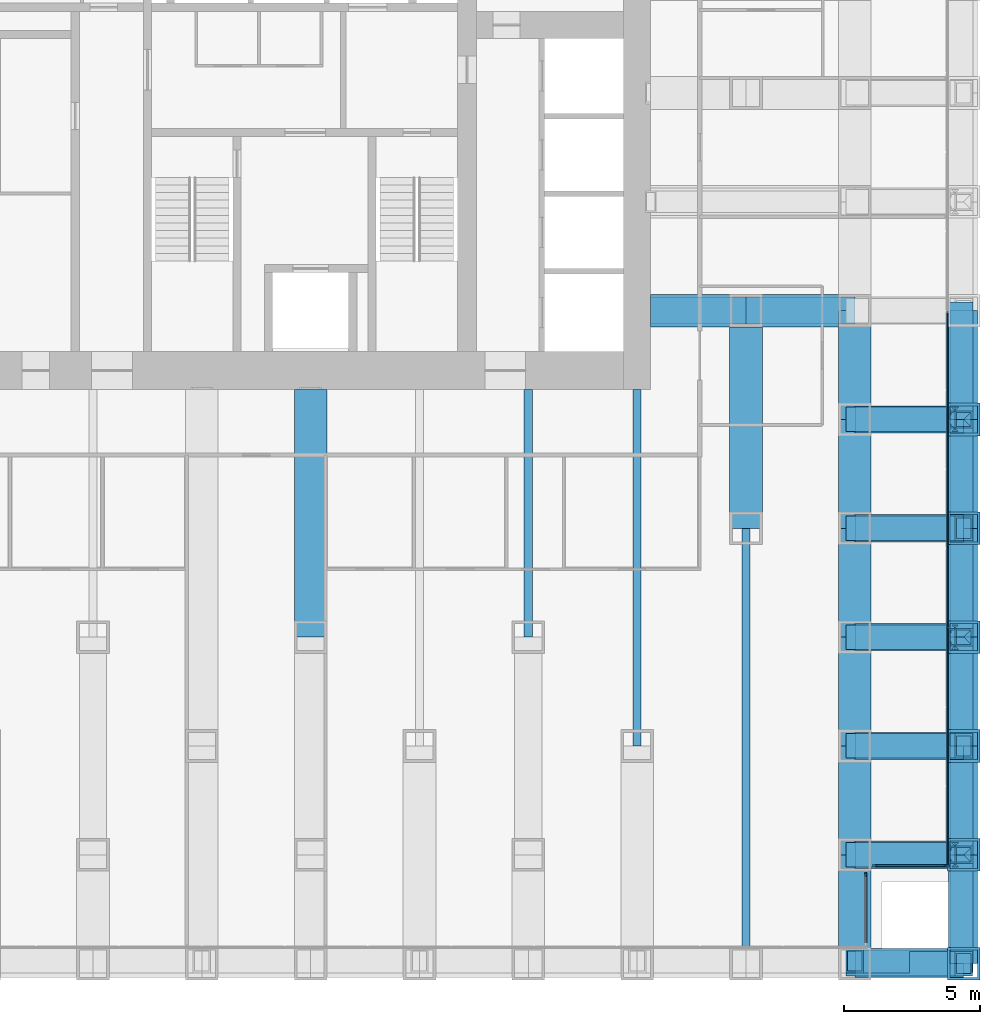
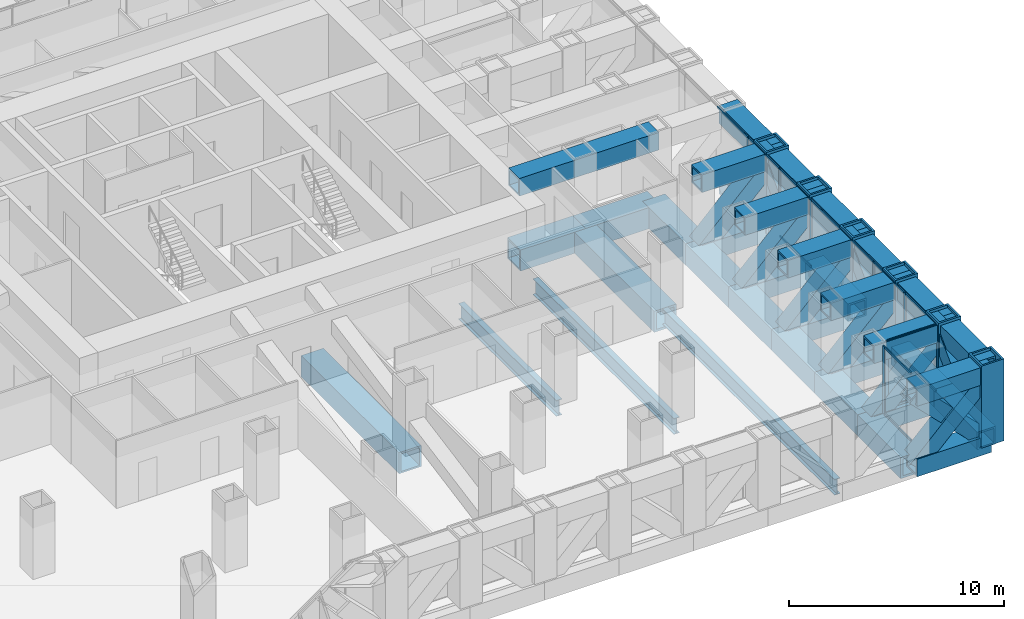
# One storey, part 6 of 18: 47 members, 38 beams, 3 elements without a shape of their own.
"""IFC4 building model written with IfcOpenShell, lengths in metres."""

from ifc_helpers import new_model, si_unit, direction, frame, origin, origin_2d, place, context, subcontext, project, spatial, rectangle, hollow_rectangle, i_section, extrude, material, material_profile, profile_set, type_object, element, aggregate, save


model = new_model("IFC4")

# Units and contexts
model_context = context("Model", 3, precision=1e-05, world=origin(), true_north=direction((0.0, 1.0)))
body_context = subcontext(model_context, "Body", "Model", "MODEL_VIEW")
ifc_project = project(units=[si_unit("LENGTHUNIT", "METRE"), si_unit("AREAUNIT", "SQUARE_METRE"), si_unit("VOLUMEUNIT", "CUBIC_METRE"), si_unit("PLANEANGLEUNIT", "RADIAN"), si_unit("MASSUNIT", "GRAM", prefix="KILO")], contexts=[model_context])

# Site, building, storey
site_placement = place(None, origin())
site = spatial("IfcSite", under=ifc_project, at=site_placement, CompositionType="ELEMENT")
building_placement = place(site_placement, origin())
building = spatial("IfcBuilding", under=site, at=building_placement, Name="Rimbunsela Tower", CompositionType="ELEMENT")
storey_placement = place(building_placement, frame((0.0, 0.0, 11.0)))
storey = spatial("IfcBuildingStorey", under=building, at=storey_placement, Name="L02", CompositionType="ELEMENT", Elevation=11.0)

# Beams
ifc_material_1 = material(Name="Steel BJ 55 (fy 410 MPa)", Category="steel")
ifc_material_profile_1 = material_profile(ifc_material_1, hollow_rectangle(XDim=1.199951171875, YDim=1.199951171875, WallThickness=0.10009765625, at=origin_2d()), Name="BOX 1200x1200x100")
ifc_profile_set_1 = profile_set([ifc_material_profile_1], Name="Steel BJ 55 (fy 410 MPa)")
beam_type_1 = type_object("IfcBeamType", Name="Beam BOX 1200x1200x100", PredefinedType="BEAM", material=ifc_profile_set_1)
beam_1_placement = place(storey_placement, frame((30.0, 8.0, -0.75), z_axis=(0.0, 1.0, 0.0), x_axis=(-1.0, 0.0, 0.0)))
element("IfcBeam", 1, at=beam_1_placement, inside=storey, type_object=beam_type_1, Name="Beam B5 L02", PredefinedType="BEAM", context=body_context, shape_type="SweptSolid", body=[
    extrude(hollow_rectangle(XDim=1.199951171875, YDim=1.199951171875, WallThickness=0.10009765625, at=origin_2d()), origin(), (0.0, 0.0, 1.0), 9.10009765625),
])
beam_2_placement = place(storey_placement, frame((42.5, 20.0, -0.75), z_axis=(1.0, 0.0, 0.0), x_axis=(0.0, 1.0, 0.0)))
element("IfcBeam", 2, at=beam_2_placement, inside=storey, type_object=beam_type_1, Name="Beam B5 L02", PredefinedType="BEAM", context=body_context, shape_type="SweptSolid", body=[
    extrude(hollow_rectangle(XDim=1.199951171875, YDim=1.199951171875, WallThickness=0.10009765625, at=origin_2d()), origin(), (0.0, 0.0, 1.0), 3.5),
])
ifc_material_2 = material(Name="Steel BJ 55 (fy 410 MPa)", Category="steel")
ifc_material_profile_2 = material_profile(ifc_material_2, hollow_rectangle(XDim=1.199951171875, YDim=1.199951171875, WallThickness=0.125, at=origin_2d()), Name="BOX 1200x1200x125")
ifc_profile_set_2 = profile_set([ifc_material_profile_2], Name="Steel BJ 55 (fy 410 MPa)")
beam_type_2 = type_object("IfcBeamType", Name="Beam BOX 1200x1200x125", PredefinedType="BEAM", material=ifc_profile_set_2)
beam_3_placement = place(storey_placement, frame((46.0, 12.0, -0.75), z_axis=(0.0, 1.0, 0.0), x_axis=(-1.0, 0.0, 0.0)))
element("IfcBeam", 3, at=beam_3_placement, inside=storey, type_object=beam_type_2, Name="Beam B4 L02", PredefinedType="BEAM", context=body_context, shape_type="SweptSolid", body=[
    extrude(hollow_rectangle(XDim=1.199951171875, YDim=1.199951171875, WallThickness=0.125, at=origin_2d()), origin(), (0.0, 0.0, 1.0), 8.0),
])
for number, where, z_axis, x_axis, name in (
    (4, (46.0, 20.0, -0.75), (1.0, 0.0, 0.0), (0.0, 1.0, 0.0), "Beam B4 L02"),
    (5, (50.0, -4.0, -0.75), (0.0, 1.0, 0.0), (-1.0, 0.0, 0.0), "Beam B4 L02"),
    (6, (50.0, 0.0, -0.75), (0.0, 1.0, 0.0), (-1.0, 0.0, 0.0), "Beam B4 L02"),
    (7, (50.0, 4.0, -0.75), (0.0, 1.0, 0.0), (-1.0, 0.0, 0.0), "Beam B4 L02"),
    (8, (50.0, 8.0, -0.75), (0.0, 1.0, 0.0), (-1.0, 0.0, 0.0), "Beam B4 L02"),
    (9, (50.0, 12.0, -0.75), (0.0, 1.0, 0.0), (-1.0, 0.0, 0.0), "Beam B4 L02"),
    (10, (50.0, 16.0, -0.75), (0.0, 1.0, 0.0), (-1.0, 0.0, 0.0), "Beam B4 L02"),
):
    element("IfcBeam", number, at=place(storey_placement, frame(where, z_axis=z_axis, x_axis=x_axis)), inside=storey, type_object=beam_type_2, Name=name, PredefinedType="BEAM", context=body_context, shape_type="SweptSolid", body=[
        extrude(hollow_rectangle(XDim=1.199951171875, YDim=1.199951171875, WallThickness=0.125, at=origin_2d()), origin(), (0.0, 0.0, 1.0), 4.0),
    ])
ifc_material_3 = material(Name="Steel BJ 55 (fy 410 MPa)", Category="steel")
ifc_material_profile_3 = material_profile(ifc_material_3, i_section(OverallWidth=0.300048828125, OverallDepth=0.89990234375, WebThickness=0.01611328125, FlangeThickness=0.028076171875, FilletRadius=0.028076171875, at=origin_2d()), Name="H 900x300x16x28")
ifc_profile_set_3 = profile_set([ifc_material_profile_3], Name="Steel BJ 55 (fy 410 MPa)")
beam_type_3 = type_object("IfcBeamType", Name="Beam H 900x300x16x28", PredefinedType="BEAM", material=ifc_profile_set_3)
beam_4_placement = place(storey_placement, frame((38.0, 8.0, -0.60009765625), z_axis=(0.0, 1.0, 0.0), x_axis=(-1.0, 0.0, 0.0)))
element("IfcBeam", 11, at=beam_4_placement, inside=storey, type_object=beam_type_3, Name="Beam B2 L02", PredefinedType="BEAM", context=body_context, shape_type="SweptSolid", body=[
    extrude(i_section(OverallWidth=0.300048828125, OverallDepth=0.89990234375, WebThickness=0.01611328125, FlangeThickness=0.028076171875, FilletRadius=0.028076171875, at=origin_2d()), origin(), (0.0, 0.0, 1.0), 9.10009765625),
])
beam_5_placement = place(storey_placement, frame((42.0, 4.0, -0.60009765625), z_axis=(0.0, 1.0, 0.0), x_axis=(-1.0, 0.0, 0.0)))
element("IfcBeam", 12, at=beam_5_placement, inside=storey, type_object=beam_type_3, Name="Beam B2 L02", PredefinedType="BEAM", context=body_context, shape_type="SweptSolid", body=[
    extrude(i_section(OverallWidth=0.300048828125, OverallDepth=0.89990234375, WebThickness=0.01611328125, FlangeThickness=0.028076171875, FilletRadius=0.028076171875, at=origin_2d()), origin(), (0.0, 0.0, 1.0), 13.10009765625),
])
beam_6_placement = place(storey_placement, frame((46.0, -4.0, -0.60009765625), z_axis=(0.0, 1.0, 0.0), x_axis=(-1.0, 0.0, 0.0)))
element("IfcBeam", 13, at=beam_6_placement, inside=storey, type_object=beam_type_3, Name="Beam B2 L02", PredefinedType="BEAM", context=body_context, shape_type="SweptSolid", body=[
    extrude(i_section(OverallWidth=0.300048828125, OverallDepth=0.89990234375, WebThickness=0.01611328125, FlangeThickness=0.028076171875, FilletRadius=0.028076171875, at=origin_2d()), origin(), (0.0, 0.0, 1.0), 16.0),
])

# Curtain wall, member
ifc_material_4 = material(Name="Aluminium curtain wall", Category="aluminium")
curtain_wall_type_1 = type_object("IfcCurtainWallType", Name="Corner glazing", PredefinedType="USERDEFINED", material=ifc_material_4)
curtain_wall_1_placement = place(storey_placement, origin())
curtain_wall_1 = element("IfcCurtainWall", 14, at=curtain_wall_1_placement, inside=storey, type_object=curtain_wall_type_1, Name="Corner glazing L02", ObjectType="CORNER GLAZING", PredefinedType="USERDEFINED")
ifc_material_5 = material(Name="Aluminium mullion", Category="aluminium")
ifc_material_profile_4 = material_profile(ifc_material_5, rectangle(XDim=0.06005859375, YDim=0.159912109375, at=origin_2d()), Name="Mullion 60x160")
ifc_profile_set_4 = profile_set([ifc_material_profile_4], Name="Aluminium mullion")
member_type_1 = type_object("IfcMemberType", Name="Curtain wall mullion 60x160", PredefinedType="MULLION", material=ifc_profile_set_4)
member_1_placement = place(storey_placement, frame((50.39990234375, -0.72998046875, 0.0), z_axis=(0.0, 0.0, 1.0), x_axis=(-1.0, 0.0, 0.0)))
member_1 = element("IfcMember", 15, at=member_1_placement, type_object=member_type_1, Name="CW5 mullion 2", PredefinedType="MULLION", context=body_context, shape_type="SweptSolid", body=[
    extrude(rectangle(XDim=0.06005859375, YDim=0.159912109375, at=origin_2d()), origin(), (0.0, 0.0, 1.0), 3.85009765625),
])

# Curtain wall, members
ifc_material_6 = material(Name="Aluminium curtain wall", Category="aluminium")
curtain_wall_type_2 = type_object("IfcCurtainWallType", Name="Spandrel wall", PredefinedType="USERDEFINED", material=ifc_material_6)
curtain_wall_2_placement = place(storey_placement, origin())
curtain_wall_2 = element("IfcCurtainWall", 16, at=curtain_wall_2_placement, inside=storey, type_object=curtain_wall_type_2, Name="Spandrel wall L02", ObjectType="SPANDREL WALL", PredefinedType="USERDEFINED")
member_2_placement = place(storey_placement, frame((50.72998046875, -0.39990234375, 0.0), z_axis=(0.0, 0.0, 1.0), x_axis=(0.0, 1.0, 0.0)))
member_2 = element("IfcMember", 17, at=member_2_placement, type_object=member_type_1, Name="CW7 mullion 1", PredefinedType="MULLION", context=body_context, shape_type="SweptSolid", body=[
    extrude(rectangle(XDim=0.06005859375, YDim=0.159912109375, at=origin_2d()), origin(), (0.0, 0.0, 1.0), 3.85009765625),
])
member_3_placement = place(storey_placement, frame((53.3701171875, -0.39990234375, 0.0), z_axis=(0.0, 0.0, 1.0), x_axis=(0.0, 1.0, 0.0)))
member_3 = element("IfcMember", 18, at=member_3_placement, type_object=member_type_1, Name="CW7 mullion 2", PredefinedType="MULLION", context=body_context, shape_type="SweptSolid", body=[
    extrude(rectangle(XDim=0.06005859375, YDim=0.159912109375, at=origin_2d()), origin(), (0.0, 0.0, 1.0), 3.85009765625),
])

ifc_material_7 = material(Name="Aluminium curtain wall", Category="aluminium")
curtain_wall_type_3 = type_object("IfcCurtainWallType", Name="Exoskeleton storey infill", PredefinedType="USERDEFINED", material=ifc_material_7)
curtain_wall_3_placement = place(storey_placement, origin())
curtain_wall_3 = element("IfcCurtainWall", 19, at=curtain_wall_3_placement, inside=storey, type_object=curtain_wall_type_3, Name="Exoskeleton storey infill L02", ObjectType="EXOSKELETON STOREY INFILL", PredefinedType="USERDEFINED")
member_4_placement = place(storey_placement, frame((53.39990234375, -0.3701171875, 0.0), z_axis=(0.0, 0.0, 1.0), x_axis=(-1.0, 0.0, 0.0)))
member_4 = element("IfcMember", 20, at=member_4_placement, type_object=member_type_1, Name="CW2 mullion 1", PredefinedType="MULLION", context=body_context, shape_type="SweptSolid", body=[
    extrude(rectangle(XDim=0.06005859375, YDim=0.159912109375, at=origin_2d()), origin(), (0.0, 0.0, 1.0), 3.85009765625),
])
member_5_placement = place(storey_placement, frame((53.39990234375, 2.514404296875, 0.0), z_axis=(0.0, 0.0, 1.0), x_axis=(-1.0, 0.0, 0.0)))
member_5 = element("IfcMember", 21, at=member_5_placement, type_object=member_type_1, Name="CW2 mullion 2", PredefinedType="MULLION", context=body_context, shape_type="SweptSolid", body=[
    extrude(rectangle(XDim=0.06005859375, YDim=0.159912109375, at=origin_2d()), origin(), (0.0, 0.0, 1.0), 3.85009765625),
])
member_6_placement = place(storey_placement, frame((53.39990234375, 5.428466796875, 0.0), z_axis=(0.0, 0.0, 1.0), x_axis=(-1.0, 0.0, 0.0)))
member_6 = element("IfcMember", 22, at=member_6_placement, type_object=member_type_1, Name="CW2 mullion 3", PredefinedType="MULLION", context=body_context, shape_type="SweptSolid", body=[
    extrude(rectangle(XDim=0.06005859375, YDim=0.159912109375, at=origin_2d()), origin(), (0.0, 0.0, 1.0), 3.85009765625),
])
member_7_placement = place(storey_placement, frame((53.39990234375, 8.3427734375, 0.0), z_axis=(0.0, 0.0, 1.0), x_axis=(-1.0, 0.0, 0.0)))
member_7 = element("IfcMember", 23, at=member_7_placement, type_object=member_type_1, Name="CW2 mullion 4", PredefinedType="MULLION", context=body_context, shape_type="SweptSolid", body=[
    extrude(rectangle(XDim=0.06005859375, YDim=0.159912109375, at=origin_2d()), origin(), (0.0, 0.0, 1.0), 3.85009765625),
])
member_8_placement = place(storey_placement, frame((53.39990234375, 11.257080078125, 0.0), z_axis=(0.0, 0.0, 1.0), x_axis=(-1.0, 0.0, 0.0)))
member_8 = element("IfcMember", 24, at=member_8_placement, type_object=member_type_1, Name="CW2 mullion 5", PredefinedType="MULLION", context=body_context, shape_type="SweptSolid", body=[
    extrude(rectangle(XDim=0.06005859375, YDim=0.159912109375, at=origin_2d()), origin(), (0.0, 0.0, 1.0), 3.85009765625),
])
member_9_placement = place(storey_placement, frame((53.39990234375, 14.17138671875, 0.0), z_axis=(0.0, 0.0, 1.0), x_axis=(-1.0, 0.0, 0.0)))
member_9 = element("IfcMember", 25, at=member_9_placement, type_object=member_type_1, Name="CW2 mullion 6", PredefinedType="MULLION", context=body_context, shape_type="SweptSolid", body=[
    extrude(rectangle(XDim=0.06005859375, YDim=0.159912109375, at=origin_2d()), origin(), (0.0, 0.0, 1.0), 3.85009765625),
])
member_10_placement = place(storey_placement, frame((53.39990234375, 17.085693359375, 0.0), z_axis=(0.0, 0.0, 1.0), x_axis=(-1.0, 0.0, 0.0)))
member_10 = element("IfcMember", 26, at=member_10_placement, type_object=member_type_1, Name="CW2 mullion 7", PredefinedType="MULLION", context=body_context, shape_type="SweptSolid", body=[
    extrude(rectangle(XDim=0.06005859375, YDim=0.159912109375, at=origin_2d()), origin(), (0.0, 0.0, 1.0), 3.85009765625),
])

# Member
ifc_material_8 = material(Name="Aluminium transom", Category="aluminium")
ifc_material_profile_5 = material_profile(ifc_material_8, rectangle(XDim=0.06005859375, YDim=0.1201171875, at=origin_2d()), Name="Transom 60x120")
ifc_profile_set_5 = profile_set([ifc_material_profile_5], Name="Aluminium transom")
member_type_2 = type_object("IfcMemberType", Name="Curtain wall transom 60x120", PredefinedType="USERDEFINED", material=ifc_profile_set_5)
member_11_placement = place(storey_placement, frame((50.39990234375, -3.239990234375, 0.030029296875), z_axis=(0.0, 1.0, 0.0), x_axis=(-1.0, 0.0, 0.0)))
member_11 = element("IfcMember", 27, at=member_11_placement, type_object=member_type_2, Name="CW5 transom 1.1", ObjectType="TRANSOM", PredefinedType="USERDEFINED", context=body_context, shape_type="SweptSolid", body=[
    extrude(rectangle(XDim=0.06005859375, YDim=0.1201171875, at=origin_2d()), origin(), (0.0, 0.0, 1.0), 2.47998046875),
])

member_12_placement = place(storey_placement, frame((50.39990234375, -3.239990234375, 3.820068359375), z_axis=(0.0, 1.0, 0.0), x_axis=(-1.0, 0.0, 0.0)))
member_12 = element("IfcMember", 28, at=member_12_placement, type_object=member_type_2, Name="CW5 transom 1.2", ObjectType="TRANSOM", PredefinedType="USERDEFINED", context=body_context, shape_type="SweptSolid", body=[
    extrude(rectangle(XDim=0.06005859375, YDim=0.1201171875, at=origin_2d()), origin(), (0.0, 0.0, 1.0), 2.47998046875),
])

aggregate(curtain_wall_1, [member_1, member_11, member_12])

member_13_placement = place(storey_placement, frame((50.760009765625, -0.39990234375, 0.030029296875), z_axis=(1.0, 0.0, 0.0), x_axis=(0.0, 1.0, 0.0)))
member_13 = element("IfcMember", 29, at=member_13_placement, type_object=member_type_2, Name="CW7 transom 1.1", ObjectType="TRANSOM", PredefinedType="USERDEFINED", context=body_context, shape_type="SweptSolid", body=[
    extrude(rectangle(XDim=0.06005859375, YDim=0.1201171875, at=origin_2d()), origin(), (0.0, 0.0, 1.0), 2.580078125),
])

member_14_placement = place(storey_placement, frame((50.760009765625, -0.39990234375, 3.820068359375), z_axis=(1.0, 0.0, 0.0), x_axis=(0.0, 1.0, 0.0)))
member_14 = element("IfcMember", 30, at=member_14_placement, type_object=member_type_2, Name="CW7 transom 1.2", ObjectType="TRANSOM", PredefinedType="USERDEFINED", context=body_context, shape_type="SweptSolid", body=[
    extrude(rectangle(XDim=0.06005859375, YDim=0.1201171875, at=origin_2d()), origin(), (0.0, 0.0, 1.0), 2.580078125),
])

aggregate(curtain_wall_2, [member_2, member_3, member_13, member_14])

member_15_placement = place(storey_placement, frame((53.39990234375, -0.340087890625, 0.030029296875), z_axis=(0.0, 1.0, 0.0), x_axis=(-1.0, 0.0, 0.0)))
member_15 = element("IfcMember", 31, at=member_15_placement, type_object=member_type_2, Name="CW2 transom 1.1", ObjectType="TRANSOM", PredefinedType="USERDEFINED", context=body_context, shape_type="SweptSolid", body=[
    extrude(rectangle(XDim=0.06005859375, YDim=0.1201171875, at=origin_2d()), origin(), (0.0, 0.0, 1.0), 2.824462890625),
])

member_16_placement = place(storey_placement, frame((53.39990234375, -0.340087890625, 3.820068359375), z_axis=(0.0, 1.0, 0.0), x_axis=(-1.0, 0.0, 0.0)))
member_16 = element("IfcMember", 32, at=member_16_placement, type_object=member_type_2, Name="CW2 transom 1.2", ObjectType="TRANSOM", PredefinedType="USERDEFINED", context=body_context, shape_type="SweptSolid", body=[
    extrude(rectangle(XDim=0.06005859375, YDim=0.1201171875, at=origin_2d()), origin(), (0.0, 0.0, 1.0), 2.824462890625),
])

member_17_placement = place(storey_placement, frame((53.39990234375, 2.544189453125, 0.030029296875), z_axis=(0.0, 1.0, 0.0), x_axis=(-1.0, 0.0, 0.0)))
member_17 = element("IfcMember", 33, at=member_17_placement, type_object=member_type_2, Name="CW2 transom 2.1", ObjectType="TRANSOM", PredefinedType="USERDEFINED", context=body_context, shape_type="SweptSolid", body=[
    extrude(rectangle(XDim=0.06005859375, YDim=0.1201171875, at=origin_2d()), origin(), (0.0, 0.0, 1.0), 2.8544921875),
])

member_18_placement = place(storey_placement, frame((53.39990234375, 2.544189453125, 3.820068359375), z_axis=(0.0, 1.0, 0.0), x_axis=(-1.0, 0.0, 0.0)))
member_18 = element("IfcMember", 34, at=member_18_placement, type_object=member_type_2, Name="CW2 transom 2.2", ObjectType="TRANSOM", PredefinedType="USERDEFINED", context=body_context, shape_type="SweptSolid", body=[
    extrude(rectangle(XDim=0.06005859375, YDim=0.1201171875, at=origin_2d()), origin(), (0.0, 0.0, 1.0), 2.8544921875),
])

member_19_placement = place(storey_placement, frame((53.39990234375, 5.45849609375, 0.030029296875), z_axis=(0.0, 1.0, 0.0), x_axis=(-1.0, 0.0, 0.0)))
member_19 = element("IfcMember", 35, at=member_19_placement, type_object=member_type_2, Name="CW2 transom 3.1", ObjectType="TRANSOM", PredefinedType="USERDEFINED", context=body_context, shape_type="SweptSolid", body=[
    extrude(rectangle(XDim=0.06005859375, YDim=0.1201171875, at=origin_2d()), origin(), (0.0, 0.0, 1.0), 2.854248046875),
])

member_20_placement = place(storey_placement, frame((53.39990234375, 5.45849609375, 3.820068359375), z_axis=(0.0, 1.0, 0.0), x_axis=(-1.0, 0.0, 0.0)))
member_20 = element("IfcMember", 36, at=member_20_placement, type_object=member_type_2, Name="CW2 transom 3.2", ObjectType="TRANSOM", PredefinedType="USERDEFINED", context=body_context, shape_type="SweptSolid", body=[
    extrude(rectangle(XDim=0.06005859375, YDim=0.1201171875, at=origin_2d()), origin(), (0.0, 0.0, 1.0), 2.854248046875),
])

member_21_placement = place(storey_placement, frame((53.39990234375, 8.372802734375, 0.030029296875), z_axis=(0.0, 1.0, 0.0), x_axis=(-1.0, 0.0, 0.0)))
member_21 = element("IfcMember", 37, at=member_21_placement, type_object=member_type_2, Name="CW2 transom 4.1", ObjectType="TRANSOM", PredefinedType="USERDEFINED", context=body_context, shape_type="SweptSolid", body=[
    extrude(rectangle(XDim=0.06005859375, YDim=0.1201171875, at=origin_2d()), origin(), (0.0, 0.0, 1.0), 2.854248046875),
])

member_22_placement = place(storey_placement, frame((53.39990234375, 8.372802734375, 3.820068359375), z_axis=(0.0, 1.0, 0.0), x_axis=(-1.0, 0.0, 0.0)))
member_22 = element("IfcMember", 38, at=member_22_placement, type_object=member_type_2, Name="CW2 transom 4.2", ObjectType="TRANSOM", PredefinedType="USERDEFINED", context=body_context, shape_type="SweptSolid", body=[
    extrude(rectangle(XDim=0.06005859375, YDim=0.1201171875, at=origin_2d()), origin(), (0.0, 0.0, 1.0), 2.854248046875),
])

member_23_placement = place(storey_placement, frame((53.39990234375, 11.287109375, 0.030029296875), z_axis=(0.0, 1.0, 0.0), x_axis=(-1.0, 0.0, 0.0)))
member_23 = element("IfcMember", 39, at=member_23_placement, type_object=member_type_2, Name="CW2 transom 5.1", ObjectType="TRANSOM", PredefinedType="USERDEFINED", context=body_context, shape_type="SweptSolid", body=[
    extrude(rectangle(XDim=0.06005859375, YDim=0.1201171875, at=origin_2d()), origin(), (0.0, 0.0, 1.0), 2.854248046875),
])

member_24_placement = place(storey_placement, frame((53.39990234375, 11.287109375, 3.820068359375), z_axis=(0.0, 1.0, 0.0), x_axis=(-1.0, 0.0, 0.0)))
member_24 = element("IfcMember", 40, at=member_24_placement, type_object=member_type_2, Name="CW2 transom 5.2", ObjectType="TRANSOM", PredefinedType="USERDEFINED", context=body_context, shape_type="SweptSolid", body=[
    extrude(rectangle(XDim=0.06005859375, YDim=0.1201171875, at=origin_2d()), origin(), (0.0, 0.0, 1.0), 2.854248046875),
])

member_25_placement = place(storey_placement, frame((53.39990234375, 14.201416015625, 0.030029296875), z_axis=(0.0, 1.0, 0.0), x_axis=(-1.0, 0.0, 0.0)))
member_25 = element("IfcMember", 41, at=member_25_placement, type_object=member_type_2, Name="CW2 transom 6.1", ObjectType="TRANSOM", PredefinedType="USERDEFINED", context=body_context, shape_type="SweptSolid", body=[
    extrude(rectangle(XDim=0.06005859375, YDim=0.1201171875, at=origin_2d()), origin(), (0.0, 0.0, 1.0), 2.854248046875),
])

member_26_placement = place(storey_placement, frame((53.39990234375, 14.201416015625, 3.820068359375), z_axis=(0.0, 1.0, 0.0), x_axis=(-1.0, 0.0, 0.0)))
member_26 = element("IfcMember", 42, at=member_26_placement, type_object=member_type_2, Name="CW2 transom 6.2", ObjectType="TRANSOM", PredefinedType="USERDEFINED", context=body_context, shape_type="SweptSolid", body=[
    extrude(rectangle(XDim=0.06005859375, YDim=0.1201171875, at=origin_2d()), origin(), (0.0, 0.0, 1.0), 2.854248046875),
])

member_27_placement = place(storey_placement, frame((53.39990234375, 17.11572265625, 0.030029296875), z_axis=(0.0, 1.0, 0.0), x_axis=(-1.0, 0.0, 0.0)))
member_27 = element("IfcMember", 43, at=member_27_placement, type_object=member_type_2, Name="CW2 transom 7.1", ObjectType="TRANSOM", PredefinedType="USERDEFINED", context=body_context, shape_type="SweptSolid", body=[
    extrude(rectangle(XDim=0.06005859375, YDim=0.1201171875, at=origin_2d()), origin(), (0.0, 0.0, 1.0), 2.854248046875),
])

member_28_placement = place(storey_placement, frame((53.39990234375, 17.11572265625, 3.820068359375), z_axis=(0.0, 1.0, 0.0), x_axis=(-1.0, 0.0, 0.0)))
member_28 = element("IfcMember", 44, at=member_28_placement, type_object=member_type_2, Name="CW2 transom 7.2", ObjectType="TRANSOM", PredefinedType="USERDEFINED", context=body_context, shape_type="SweptSolid", body=[
    extrude(rectangle(XDim=0.06005859375, YDim=0.1201171875, at=origin_2d()), origin(), (0.0, 0.0, 1.0), 2.854248046875),
])

aggregate(curtain_wall_3, [member_4, member_5, member_6, member_7, member_8, member_9, member_10, member_15, member_16, member_17, member_18, member_19, member_20, member_21, member_22, member_23, member_24, member_25, member_26, member_27, member_28])

# Beams
ifc_material_9 = material(Name="Steel BJ 55 (fy 410 MPa)", Category="steel")
ifc_material_profile_6 = material_profile(ifc_material_9, hollow_rectangle(XDim=1.0, YDim=1.0, WallThickness=0.10009765625, at=origin_2d()), Name="BOX 1000x1000x100")
ifc_profile_set_6 = profile_set([ifc_material_profile_6], Name="Steel BJ 55 (fy 410 MPa)")
beam_type_4 = type_object("IfcBeamType", Name="Truss chord BOX 1000x1000x100", PredefinedType="USERDEFINED", material=ifc_profile_set_6)
for number, where, z_axis, x_axis, name in (
    (45, (50.0, -4.0, 3.35009765625), (1.0, 0.0, 0.0), (0.0, 1.0, 0.0), "Truss top chord TC1 S face L02"),
    (46, (54.0, -4.0, 3.35009765625), (0.0, 1.0, 0.0), (-1.0, 0.0, 0.0), "Truss top chord TC1 E face L02"),
    (47, (54.0, 0.0, 3.35009765625), (0.0, 1.0, 0.0), (-1.0, 0.0, 0.0), "Truss top chord TC1 E face L02"),
    (48, (54.0, 4.0, 3.35009765625), (0.0, 1.0, 0.0), (-1.0, 0.0, 0.0), "Truss top chord TC1 E face L02"),
    (49, (54.0, 8.0, 3.35009765625), (0.0, 1.0, 0.0), (-1.0, 0.0, 0.0), "Truss top chord TC1 E face L02"),
    (50, (54.0, 12.0, 3.35009765625), (0.0, 1.0, 0.0), (-1.0, 0.0, 0.0), "Truss top chord TC1 E face L02"),
    (51, (54.0, 16.0, 3.35009765625), (0.0, 1.0, 0.0), (-1.0, 0.0, 0.0), "Truss top chord TC1 E face L02"),
    (52, (50.0, -4.0, -0.64990234375), (1.0, 0.0, 0.0), (0.0, 1.0, 0.0), "Truss bottom chord TC1 S face L02"),
    (53, (50.0, 0.0, -0.64990234375), (1.0, 0.0, 0.0), (0.0, 1.0, 0.0), "Cantilever truss bottom chord TC1 16/B L02"),
    (54, (50.0, 0.0, 3.35009765625), (1.0, 0.0, 0.0), (0.0, 1.0, 0.0), "Cantilever truss top chord TC1 16/B L02"),
    (55, (50.0, 4.0, -0.64990234375), (1.0, 0.0, 0.0), (0.0, 1.0, 0.0), "Cantilever truss bottom chord TC1 16/C L02"),
    (56, (50.0, 4.0, 3.35009765625), (1.0, 0.0, 0.0), (0.0, 1.0, 0.0), "Cantilever truss top chord TC1 16/C L02"),
    (57, (50.0, 8.0, -0.64990234375), (1.0, 0.0, 0.0), (0.0, 1.0, 0.0), "Cantilever truss bottom chord TC1 16/D L02"),
    (58, (50.0, 8.0, 3.35009765625), (1.0, 0.0, 0.0), (0.0, 1.0, 0.0), "Cantilever truss top chord TC1 16/D L02"),
    (59, (50.0, 12.0, -0.64990234375), (1.0, 0.0, 0.0), (0.0, 1.0, 0.0), "Cantilever truss bottom chord TC1 16/E L02"),
    (60, (50.0, 12.0, 3.35009765625), (1.0, 0.0, 0.0), (0.0, 1.0, 0.0), "Cantilever truss top chord TC1 16/E L02"),
    (61, (50.0, 16.0, -0.64990234375), (1.0, 0.0, 0.0), (0.0, 1.0, 0.0), "Cantilever truss bottom chord TC1 16/F L02"),
    (62, (50.0, 16.0, 3.35009765625), (1.0, 0.0, 0.0), (0.0, 1.0, 0.0), "Cantilever truss top chord TC1 16/F L02"),
):
    element("IfcBeam", number, at=place(storey_placement, frame(where, z_axis=z_axis, x_axis=x_axis)), inside=storey, type_object=beam_type_4, Name=name, ObjectType="TRUSS CHORD", PredefinedType="USERDEFINED", context=body_context, shape_type="SweptSolid", body=[
        extrude(hollow_rectangle(XDim=1.0, YDim=1.0, WallThickness=0.10009765625, at=origin_2d()), origin(), (0.0, 0.0, 1.0), 4.0),
    ])
beam_7_placement = place(storey_placement, frame((42.5, 20.0, 3.35009765625), z_axis=(1.0, 0.0, 0.0), x_axis=(0.0, 1.0, 0.0)))
element("IfcBeam", 63, at=beam_7_placement, inside=storey, type_object=beam_type_4, Name="Cantilever truss top chord TC1 16/G L02", ObjectType="TRUSS CHORD", PredefinedType="USERDEFINED", context=body_context, shape_type="SweptSolid", body=[
    extrude(hollow_rectangle(XDim=1.0, YDim=1.0, WallThickness=0.10009765625, at=origin_2d()), origin(), (0.0, 0.0, 1.0), 7.5),
])
for number, where, z_axis, x_axis, name in (
    (64, (54.0, -4.0, -0.64990234375), (0.0, 1.0, 0.0), (-1.0, 0.0, 0.0), "Truss bottom chord TC1 E face L02"),
    (65, (54.0, 0.0, -0.64990234375), (0.0, 1.0, 0.0), (-1.0, 0.0, 0.0), "Truss bottom chord TC1 E face L02"),
    (66, (54.0, 4.0, -0.64990234375), (0.0, 1.0, 0.0), (-1.0, 0.0, 0.0), "Truss bottom chord TC1 E face L02"),
    (67, (54.0, 8.0, -0.64990234375), (0.0, 1.0, 0.0), (-1.0, 0.0, 0.0), "Truss bottom chord TC1 E face L02"),
    (68, (54.0, 12.0, -0.64990234375), (0.0, 1.0, 0.0), (-1.0, 0.0, 0.0), "Truss bottom chord TC1 E face L02"),
    (69, (54.0, 16.0, -0.64990234375), (0.0, 1.0, 0.0), (-1.0, 0.0, 0.0), "Truss bottom chord TC1 E face L02"),
):
    element("IfcBeam", number, at=place(storey_placement, frame(where, z_axis=z_axis, x_axis=x_axis)), inside=storey, type_object=beam_type_4, Name=name, ObjectType="TRUSS CHORD", PredefinedType="USERDEFINED", context=body_context, shape_type="SweptSolid", body=[
        extrude(hollow_rectangle(XDim=1.0, YDim=1.0, WallThickness=0.10009765625, at=origin_2d()), origin(), (0.0, 0.0, 1.0), 4.0),
    ])

# Members
ifc_material_10 = material(Name="Steel BJ 55 (fy 410 MPa)", Category="steel")
ifc_material_profile_7 = material_profile(ifc_material_10, hollow_rectangle(XDim=0.89990234375, YDim=0.89990234375, WallThickness=0.080078125, at=origin_2d()), Name="BOX 900x900x80")
ifc_profile_set_7 = profile_set([ifc_material_profile_7], Name="Steel BJ 55 (fy 410 MPa)")
member_type_3 = type_object("IfcMemberType", Name="Truss diagonal BOX 900x900x80", PredefinedType="BRACE", material=ifc_profile_set_7)
for number, where, z_axis, x_axis, name in (
    (70, (50.0, -3.89990234375, 3.35009765625), (0.707106781187, 0.0, -0.707106781187), (0.0, 1.0, 0.0), "Truss diagonal TD1 S face L02"),
    (71, (53.89990234375, -4.0, -0.64990234375), (0.0, 0.707106781187, 0.707106781187), (-1.0, 0.0, 0.0), "Truss diagonal TD1 E face L02"),
    (72, (53.89990234375, 0.0, 3.35009765625), (0.0, 0.707106781187, -0.707106781187), (-1.0, 0.0, 0.0), "Truss diagonal TD1 E face L02"),
    (73, (53.89990234375, 4.0, -0.64990234375), (0.0, 0.707106781187, 0.707106781187), (-1.0, 0.0, 0.0), "Truss diagonal TD1 E face L02"),
    (74, (53.89990234375, 8.0, 3.35009765625), (0.0, 0.707106781187, -0.707106781187), (-1.0, 0.0, 0.0), "Truss diagonal TD1 E face L02"),
    (75, (53.89990234375, 12.0, -0.64990234375), (0.0, 0.707106781187, 0.707106781187), (-1.0, 0.0, 0.0), "Truss diagonal TD1 E face L02"),
    (76, (53.89990234375, 16.0, 3.35009765625), (0.0, 0.707106781187, -0.707106781187), (-1.0, 0.0, 0.0), "Truss diagonal TD1 E face L02"),
    (77, (50.0, -4.0, -0.64990234375), (0.707106781187, 0.0, 0.707106781187), (0.0, 1.0, 0.0), "Cantilever truss diagonal TD1 16/A L02"),
    (78, (50.0, 0.0, -0.64990234375), (0.707106781187, 0.0, 0.707106781187), (0.0, 1.0, 0.0), "Cantilever truss diagonal TD1 16/B L02"),
    (79, (50.0, 4.0, -0.64990234375), (0.707106781187, 0.0, 0.707106781187), (0.0, 1.0, 0.0), "Cantilever truss diagonal TD1 16/C L02"),
    (80, (50.0, 8.0, -0.64990234375), (0.707106781187, 0.0, 0.707106781187), (0.0, 1.0, 0.0), "Cantilever truss diagonal TD1 16/D L02"),
    (81, (50.0, 12.0, -0.64990234375), (0.707106781187, 0.0, 0.707106781187), (0.0, 1.0, 0.0), "Cantilever truss diagonal TD1 16/E L02"),
    (82, (50.0, 16.0, -0.64990234375), (0.707106781187, 0.0, 0.707106781187), (0.0, 1.0, 0.0), "Cantilever truss diagonal TD1 16/F L02"),
):
    element("IfcMember", number, at=place(storey_placement, frame(where, z_axis=z_axis, x_axis=x_axis)), inside=storey, type_object=member_type_3, Name=name, PredefinedType="BRACE", context=body_context, shape_type="SweptSolid", body=[
        extrude(hollow_rectangle(XDim=0.89990234375, YDim=0.89990234375, WallThickness=0.080078125, at=origin_2d()), origin(), (0.0, 0.0, 1.0), 5.65673828125),
    ])
ifc_material_11 = material(Name="Steel BJ 55 (fy 410 MPa)", Category="steel")
ifc_material_profile_8 = material_profile(ifc_material_11, hollow_rectangle(XDim=1.199951171875, YDim=1.199951171875, WallThickness=0.10009765625, at=origin_2d()), Name="BOX 1200x1200x100")
ifc_profile_set_8 = profile_set([ifc_material_profile_8], Name="Steel BJ 55 (fy 410 MPa)")
member_type_4 = type_object("IfcMemberType", Name="Truss post BOX 1200x1200x100", PredefinedType="POST", material=ifc_profile_set_8)
for number, where, z_axis, x_axis, name in (
    (83, (54.0, -4.0, -0.64990234375), (0.0, 0.0, 1.0), (1.0, 0.0, 0.0), "Truss post TP1 16/A L02"),
    (84, (54.0, 0.0, -0.64990234375), (0.0, 0.0, 1.0), (1.0, 0.0, 0.0), "Truss post TP1 16/B L02"),
    (85, (54.0, 4.0, -0.64990234375), (0.0, 0.0, 1.0), (1.0, 0.0, 0.0), "Truss post TP1 16/C L02"),
    (86, (54.0, 8.0, -0.64990234375), (0.0, 0.0, 1.0), (1.0, 0.0, 0.0), "Truss post TP1 16/D L02"),
    (87, (54.0, 12.0, -0.64990234375), (0.0, 0.0, 1.0), (1.0, 0.0, 0.0), "Truss post TP1 16/E L02"),
    (88, (54.0, 16.0, -0.64990234375), (0.0, 0.0, 1.0), (1.0, 0.0, 0.0), "Truss post TP1 16/F L02"),
):
    element("IfcMember", number, at=place(storey_placement, frame(where, z_axis=z_axis, x_axis=x_axis)), inside=storey, type_object=member_type_4, Name=name, PredefinedType="POST", context=body_context, shape_type="SweptSolid", body=[
        extrude(hollow_rectangle(XDim=1.199951171875, YDim=1.199951171875, WallThickness=0.10009765625, at=origin_2d()), origin(), (0.0, 0.0, 1.0), 4.64990234375),
    ])

save(model, "model.ifc")
